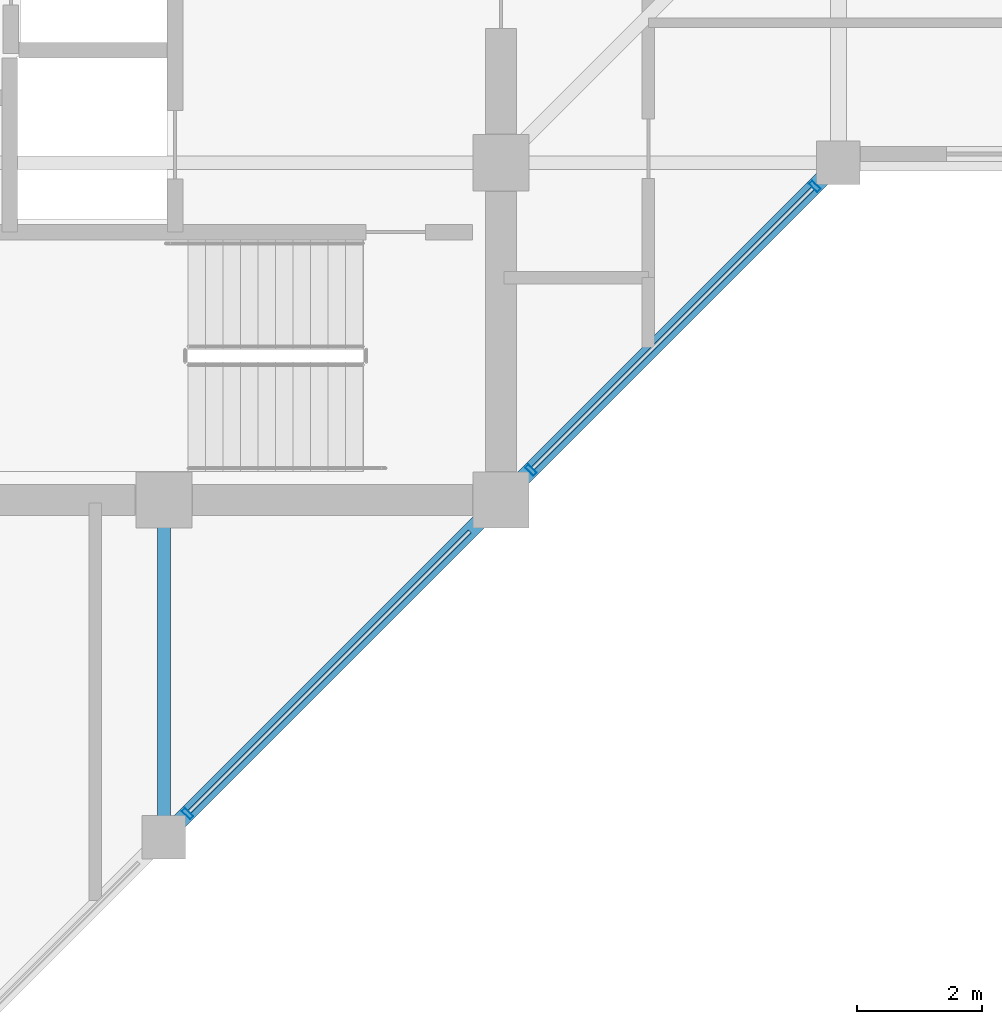
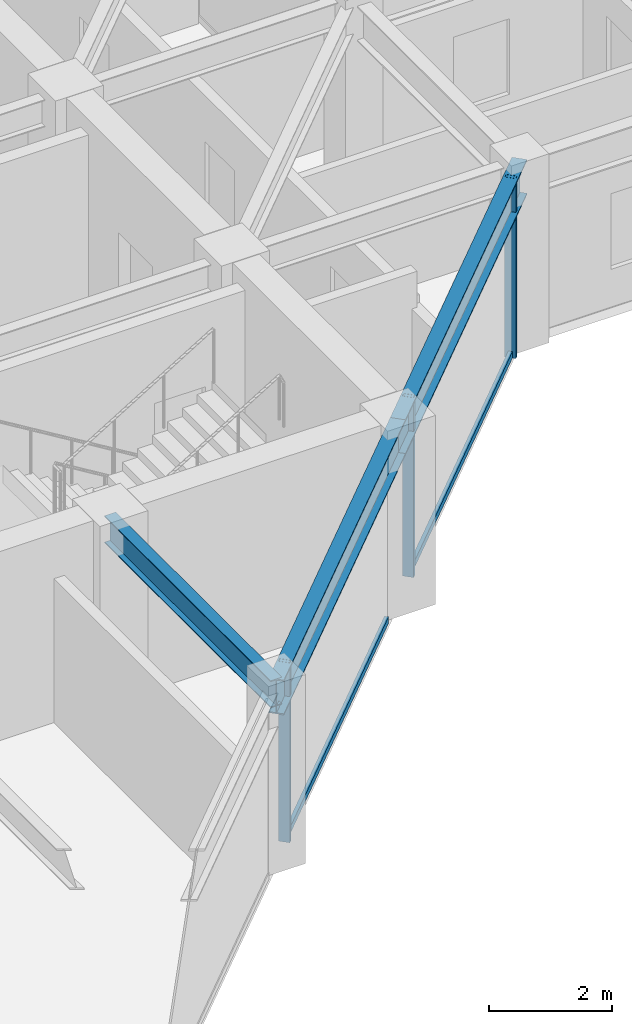
# One storey, part 9 of 31: 5 members, 3 beams, 1 element without a shape of its own.
"""IFC4 building model written with IfcOpenShell, lengths in metres."""

from ifc_helpers import new_model, si_unit, direction, frame, origin, origin_2d, place, context, subcontext, project, spatial, hollow_rectangle, i_section, extrude, material, layer, layer_set, material_profile, profile_set, type_object, element, aggregate, save


model = new_model("IFC4")

# Units and contexts
model_context = context("Model", 3, precision=1e-05, world=origin(), true_north=direction((0.0, 1.0)))
body_context = subcontext(model_context, "Body", "Model", "MODEL_VIEW")
ifc_project = project(units=[si_unit("LENGTHUNIT", "METRE"), si_unit("AREAUNIT", "SQUARE_METRE"), si_unit("VOLUMEUNIT", "CUBIC_METRE"), si_unit("PLANEANGLEUNIT", "RADIAN"), si_unit("MASSUNIT", "GRAM", prefix="KILO")], contexts=[model_context])

# Site, building, storey
site_placement = place(None, origin())
site = spatial("IfcSite", under=ifc_project, at=site_placement, CompositionType="ELEMENT")
building_placement = place(site_placement, origin())
building = spatial("IfcBuilding", under=site, at=building_placement, Name="Surkhivell Harbour Commons", CompositionType="ELEMENT")
storey_placement = place(building_placement, frame((0.0, 0.0, 318.75)))
storey = spatial("IfcBuildingStorey", under=building, at=storey_placement, Name="L83", CompositionType="ELEMENT", Elevation=318.75)

# Beams
ifc_material_1 = material(Name="Steel S355", Category="steel")
ifc_material_profile_1 = material_profile(ifc_material_1, i_section(OverallWidth=0.2099609375, OverallDepth=0.537109375, WebThickness=0.0107421875, FlangeThickness=0.017333984375, at=origin_2d()), Name="UB533x210x101")
ifc_profile_set_1 = profile_set([ifc_material_profile_1], Name="Steel S355")
beam_type_1 = type_object("IfcBeamType", Name="BM-GRD-533B", PredefinedType="BEAM", material=ifc_profile_set_1)
beam_placement = place(storey_placement, frame((5.39990234375, -16.199951171875, 3.301513671875), z_axis=(0.0, 1.0, 0.0), x_axis=(-1.0, 0.0, 0.0)))
element("IfcBeam", 1, at=beam_placement, inside=storey, type_object=beam_type_1, Name="L83 Floor Girder (5.4,-16.2)", PredefinedType="BEAM", context=body_context, shape_type="SweptSolid", body=[
    extrude(i_section(OverallWidth=0.2099609375, OverallDepth=0.537109375, WebThickness=0.0107421875, FlangeThickness=0.017333984375, at=origin_2d()), origin(), (0.0, 0.0, 1.0), 5.39990234375),
])
ifc_material_profile_2 = material_profile(ifc_material_1, i_section(OverallWidth=0.256103515625, OverallDepth=0.693115234375, WebThickness=0.014404296875, FlangeThickness=0.023681640625, at=origin_2d()), Name="UB686x254x170")
ifc_profile_set_2 = profile_set([ifc_material_profile_2], Name="Steel S355")
beam_type_2 = type_object("IfcBeamType", Name="BM-SPN-686", PredefinedType="SPANDREL", material=ifc_profile_set_2)
for number, where, z_axis, x_axis, name in (
    (2, (5.39990234375, -16.199951171875, 3.223388671875), (0.707122765516, 0.707090796496, 0.0), (-0.707090796496, 0.707122765516, 0.0), "L83 Tube Spandrel (5.4,-16.2)"),
    (3, (10.800048828125, -10.800048828125, 3.223388671875), (0.707090796496, 0.707122765516, 0.0), (-0.707122765516, 0.707090796496, 0.0), "L83 Tube Spandrel (10.8,-10.8)"),
):
    element("IfcBeam", number, at=place(storey_placement, frame(where, z_axis=z_axis, x_axis=x_axis)), inside=storey, type_object=beam_type_2, Name=name, PredefinedType="SPANDREL", context=body_context, shape_type="SweptSolid", body=[
        extrude(i_section(OverallWidth=0.256103515625, OverallDepth=0.693115234375, WebThickness=0.014404296875, FlangeThickness=0.023681640625, at=origin_2d()), origin(), (0.0, 0.0, 1.0), 7.63671875),
    ])

# Curtain wall, members
ifc_material_2 = material(Name="Anodised pale-metal aluminium and insulated glazing", Category="aluminium")
ifc_layer = layer(ifc_material_2, 0.175048828125)
ifc_layer_set = layer_set([ifc_layer], Name="Anodised pale-metal aluminium and insulated glazing")
curtain_wall_type = type_object("IfcCurtainWallType", Name="CW-SYS-Z4", PredefinedType="NOTDEFINED", material=ifc_layer_set)
curtain_wall_placement = place(storey_placement, origin())
curtain_wall = element("IfcCurtainWall", 4, at=curtain_wall_placement, inside=storey, type_object=curtain_wall_type, Name="L83 Curtain Wall CW-L83-E01", PredefinedType="NOTDEFINED")
ifc_material_3 = material(Name="Anodised pale-metal aluminium alloy 6063-T6", Category="aluminium")
ifc_material_profile_3 = material_profile(ifc_material_3, hollow_rectangle(XDim=0.074951171875, YDim=0.18994140625, WallThickness=0.00390625, at=origin_2d()), Name="ALU-MULL-75x190")
ifc_profile_set_3 = profile_set([ifc_material_profile_3], Name="Anodised pale-metal aluminium alloy 6063-T6")
member_type_1 = type_object("IfcMemberType", Name="CWM-190", PredefinedType="MULLION", material=ifc_profile_set_3)
member_1_placement = place(storey_placement, frame((5.778076171875, -15.82177734375, 0.0), z_axis=(0.0, 0.0, 1.0), x_axis=(0.707106781187, 0.707106781187, 0.0)))
member_1 = element("IfcMember", 5, at=member_1_placement, type_object=member_type_1, Name="CW-Z4 mullion 2", PredefinedType="MULLION", context=body_context, shape_type="SweptSolid", body=[
    extrude(hollow_rectangle(XDim=0.074951171875, YDim=0.18994140625, WallThickness=0.00390625, at=origin_2d()), origin(), (0.0, 0.0, 1.0), 3.570068359375),
])
member_2_placement = place(storey_placement, frame((11.278076171875, -10.32177734375, 0.0), z_axis=(0.0, 0.0, 1.0), x_axis=(0.707106781187, 0.707106781187, 0.0)))
member_2 = element("IfcMember", 6, at=member_2_placement, type_object=member_type_1, Name="CW-Z4 mullion 3", PredefinedType="MULLION", context=body_context, shape_type="SweptSolid", body=[
    extrude(hollow_rectangle(XDim=0.074951171875, YDim=0.18994140625, WallThickness=0.00390625, at=origin_2d()), origin(), (0.0, 0.0, 1.0), 3.570068359375),
])
member_3_placement = place(storey_placement, frame((15.82177734375, -5.778076171875, 0.0), z_axis=(0.0, 0.0, 1.0), x_axis=(0.707106781187, 0.707106781187, 0.0)))
member_3 = element("IfcMember", 7, at=member_3_placement, type_object=member_type_1, Name="CW-Z4 mullion 4", PredefinedType="MULLION", context=body_context, shape_type="SweptSolid", body=[
    extrude(hollow_rectangle(XDim=0.074951171875, YDim=0.18994140625, WallThickness=0.00390625, at=origin_2d()), origin(), (0.0, 0.0, 1.0), 3.570068359375),
])
ifc_material_4 = material(Name="Champagne anodised aluminium alloy 6063-T6", Category="aluminium")
ifc_material_profile_4 = material_profile(ifc_material_4, hollow_rectangle(XDim=0.070068359375, YDim=0.1298828125, WallThickness=0.00341796875, at=origin_2d()), Name="ALU-TRAN-70x130")
ifc_profile_set_4 = profile_set([ifc_material_profile_4], Name="Champagne anodised aluminium alloy 6063-T6")
member_type_2 = type_object("IfcMemberType", Name="CWT-130", PredefinedType="USERDEFINED", material=ifc_profile_set_4)
member_4_placement = place(storey_placement, frame((5.8046875, -15.79541015625, 0.06494140625), z_axis=(0.707106781187, 0.707106781187, 0.0), x_axis=(-0.707106781187, 0.707106781187, 0.0)))
member_4 = element("IfcMember", 8, at=member_4_placement, type_object=member_type_2, Name="CW-Z4 transom 2.1", ObjectType="TRANSOM", PredefinedType="USERDEFINED", context=body_context, shape_type="SweptSolid", body=[
    extrude(hollow_rectangle(XDim=0.070068359375, YDim=0.1298828125, WallThickness=0.00341796875, at=origin_2d()), origin(), (0.0, 0.0, 1.0), 6.350830078125),
])
member_5_placement = place(storey_placement, frame((11.3046875, -10.29541015625, 0.06494140625), z_axis=(0.707106781187, 0.707106781187, 0.0), x_axis=(-0.707106781187, 0.707106781187, 0.0)))
member_5 = element("IfcMember", 9, at=member_5_placement, type_object=member_type_2, Name="CW-Z4 transom 3.1", ObjectType="TRANSOM", PredefinedType="USERDEFINED", context=body_context, shape_type="SweptSolid", body=[
    extrude(hollow_rectangle(XDim=0.070068359375, YDim=0.1298828125, WallThickness=0.00341796875, at=origin_2d()), origin(), (0.0, 0.0, 1.0), 6.350830078125),
])
aggregate(curtain_wall, [member_1, member_4, member_2, member_3, member_5])

save(model, "model.ifc")
